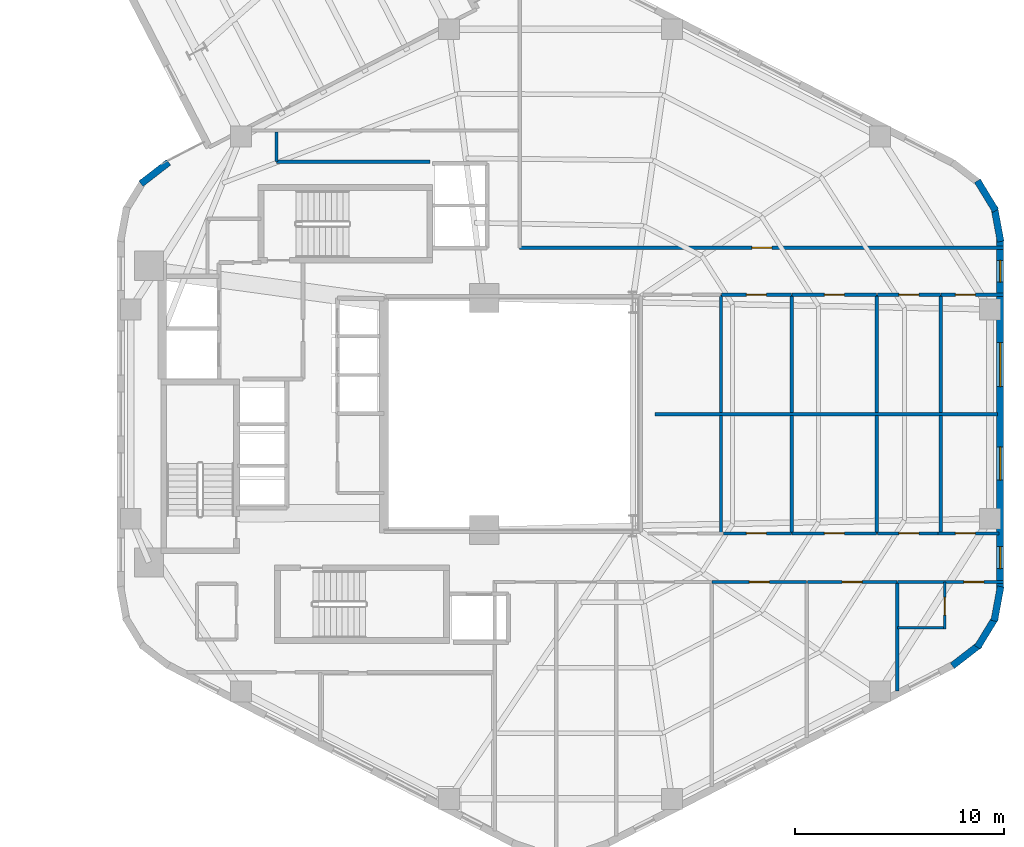
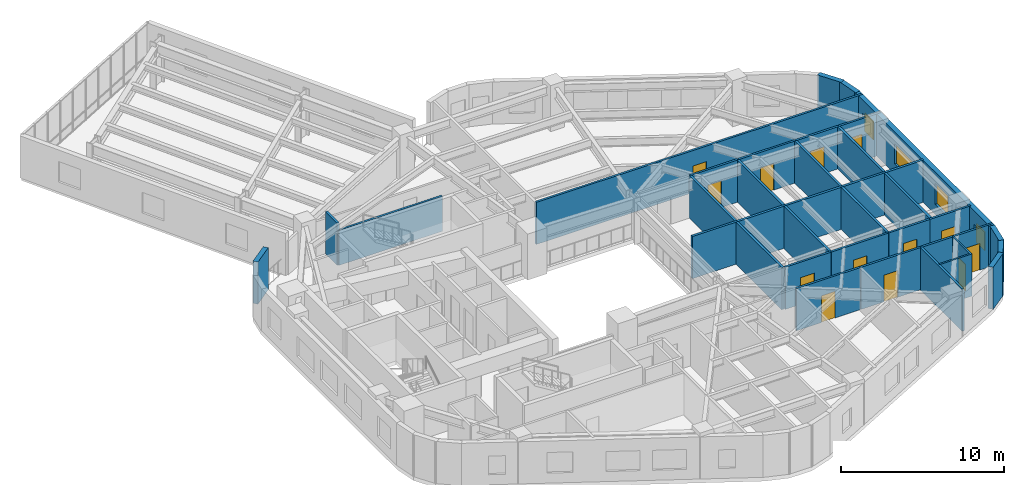
# One storey, part 8 of 10: 33 walls, 13 doors, 4 windows, 17 openings.
"""IFC4 building model written with IfcOpenShell, lengths in metres."""

from ifc_helpers import new_model, si_unit, direction, frame, frame_2d, origin, place, context, subcontext, project, spatial, rectangle, extrude, material, layer, layer_set, type_object, element, fill, save


model = new_model("IFC4")

# Units and contexts
model_context = context("Model", 3, precision=1e-05, world=origin(), true_north=direction((0.0, 1.0)))
body_context = subcontext(model_context, "Body", "Model", "MODEL_VIEW")
ifc_project = project(units=[si_unit("LENGTHUNIT", "METRE"), si_unit("AREAUNIT", "SQUARE_METRE"), si_unit("VOLUMEUNIT", "CUBIC_METRE"), si_unit("PLANEANGLEUNIT", "RADIAN"), si_unit("MASSUNIT", "GRAM", prefix="KILO"), si_unit("THERMODYNAMICTEMPERATUREUNIT", "KELVIN"), si_unit("POWERUNIT", "WATT")], contexts=[model_context])

# Site, building, storey
site_placement = place(None, origin())
site = spatial("IfcSite", under=ifc_project, at=site_placement, CompositionType="ELEMENT")
building_placement = place(site_placement, origin())
building = spatial("IfcBuilding", under=site, at=building_placement, Name="Skarre Station Tower", CompositionType="ELEMENT")
storey_placement = place(building_placement, frame((0.0, 0.0, 142.949951171875)))
storey = spatial("IfcBuildingStorey", under=building, at=storey_placement, Name="L38", CompositionType="ELEMENT", Elevation=142.949951171875)

# Wall, opening, door
ifc_material_1 = material(Name="Acoustic Steel-Stud Gypsum Partition", Category="steel")
ifc_layer_1 = layer(ifc_material_1, 0.14990234375, Name="Acoustic Steel-Stud Gypsum Partition")
ifc_layer_set_1 = layer_set([ifc_layer_1], Name="Acoustic Steel-Stud Gypsum Partition")
wall_type_1 = type_object("IfcWallType", Name="Fire-Rated Corridor Acoustic Partition 150", PredefinedType="PARTITIONING", material=ifc_layer_set_1)
wall_1_placement = place(storey_placement, frame((57.2080078125, 31.9599609375, 0.0), z_axis=(0.0, 0.0, 1.0), x_axis=(-1.0, 0.0, 0.0)))
wall_1 = element("IfcWall", 1, at=wall_1_placement, inside=storey, type_object=wall_type_1, Name="L38 Interior Partition WL-PT-L38-NW1-CW", PredefinedType="PARTITIONING", context=body_context, shape_type="SweptSolid", body=[
    extrude(rectangle(XDim=23.16796875, YDim=0.14990234375, at=frame_2d((11.583984375, 0.0))), origin(), (0.0, 0.0, 1.0), 3.16015625),
])
opening_1_placement = place(wall_1_placement, frame((11.090087890625, 0.0, 0.0)))
opening_1 = element("IfcOpeningElement", 2, at=opening_1_placement, cuts=wall_1, Name="Opening DR-FD60", PredefinedType="OPENING", context=body_context, shape_type="SweptSolid", body=[
    extrude(rectangle(XDim=0.9599609375, YDim=2.0, at=frame_2d((0.47998046875, 1.0))), frame((0.0, 0.0849609375, 0.0), z_axis=(0.0, -1.0, 0.0), x_axis=(1.0, 0.0, 0.0)), (0.0, 0.0, 1.0), 0.169921875),
])
ifc_material_2 = material(Name="Nordic White-Oak Veneer Solid-Core Fire Leaf", Category="wood")
door_type_1 = type_object("IfcDoorType", Name="Corridor Suite Entry Fire Door FD60 960x2150", OperationType="SINGLE_SWING_LEFT", PredefinedType="DOOR", material=ifc_material_2)
door_1_placement = place(opening_1_placement, origin())
door_1 = element("IfcDoor", 3, at=door_1_placement, inside=storey, type_object=door_type_1, Name="L38 NW1 Entry Door", OperationType="SINGLE_SWING_LEFT", OverallHeight=2.0, OverallWidth=0.9599609375, PredefinedType="DOOR", context=body_context, shape_type="SweptSolid", body=[
    extrude(rectangle(XDim=0.9599609375, YDim=2.0, at=frame_2d((0.47998046875, 1.0))), frame((0.0, 0.02490234375, 0.0), z_axis=(0.0, -1.0, 0.0), x_axis=(1.0, 0.0, 0.0)), (0.0, 0.0, 1.0), 0.050048828125),
])
fill(opening_1, door_1)

wall_2_placement = place(storey_placement, frame((43.697998046875, 29.7099609375, 0.0), z_axis=(0.0, 0.0, 1.0), x_axis=(1.0, 0.0, 0.0)))
wall_2 = element("IfcWall", 4, at=wall_2_placement, inside=storey, type_object=wall_type_1, Name="L38 Interior Partition WL-PT-L38-EWN2-CW", PredefinedType="PARTITIONING", context=body_context, shape_type="SweptSolid", body=[
    extrude(rectangle(XDim=3.364013671875, YDim=0.14990234375, at=frame_2d((1.68212890625, 0.0))), origin(), (0.0, 0.0, 1.0), 3.16015625),
])
opening_2_placement = place(wall_2_placement, frame((1.201904296875, 0.0, 0.0)))
opening_2 = element("IfcOpeningElement", 5, at=opening_2_placement, cuts=wall_2, Name="Opening DR-FD60", PredefinedType="OPENING", context=body_context, shape_type="SweptSolid", body=[
    extrude(rectangle(XDim=0.9599609375, YDim=2.0, at=frame_2d((0.47998046875, 1.0))), frame((0.0, 0.0849609375, 0.0), z_axis=(0.0, -1.0, 0.0), x_axis=(1.0, 0.0, 0.0)), (0.0, 0.0, 1.0), 0.169921875),
])
door_2_placement = place(opening_2_placement, origin())
door_2 = element("IfcDoor", 6, at=door_2_placement, inside=storey, type_object=door_type_1, Name="L38 EWN2 Entry Door", OperationType="SINGLE_SWING_LEFT", OverallHeight=2.0, OverallWidth=0.9599609375, PredefinedType="DOOR", context=body_context, shape_type="SweptSolid", body=[
    extrude(rectangle(XDim=0.9599609375, YDim=2.0, at=frame_2d((0.47998046875, 1.0))), frame((0.0, 0.02490234375, 0.0), z_axis=(0.0, -1.0, 0.0), x_axis=(1.0, 0.0, 0.0)), (0.0, 0.0, 1.0), 0.050048828125),
])
fill(opening_2, door_2)

wall_3_placement = place(storey_placement, frame((47.092041015625, 29.7099609375, 0.0), z_axis=(0.0, 0.0, 1.0), x_axis=(1.0, 0.0, 0.0)))
wall_3 = element("IfcWall", 7, at=wall_3_placement, inside=storey, type_object=wall_type_1, Name="L38 Interior Partition WL-PT-L38-EWN3-CW", PredefinedType="PARTITIONING", context=body_context, shape_type="SweptSolid", body=[
    extrude(rectangle(XDim=4.0419921875, YDim=0.14990234375, at=frame_2d((2.02099609375, 0.0))), origin(), (0.0, 0.0, 1.0), 3.16015625),
])
opening_3_placement = place(wall_3_placement, frame((1.541015625, 0.0, 0.0)))
opening_3 = element("IfcOpeningElement", 8, at=opening_3_placement, cuts=wall_3, Name="Opening DR-FD60", PredefinedType="OPENING", context=body_context, shape_type="SweptSolid", body=[
    extrude(rectangle(XDim=0.9599609375, YDim=2.0, at=frame_2d((0.47998046875, 1.0))), frame((0.0, 0.0849609375, 0.0), z_axis=(0.0, -1.0, 0.0), x_axis=(1.0, 0.0, 0.0)), (0.0, 0.0, 1.0), 0.169921875),
])
door_3_placement = place(opening_3_placement, origin())
door_3 = element("IfcDoor", 9, at=door_3_placement, inside=storey, type_object=door_type_1, Name="L38 EWN3 Entry Door", OperationType="SINGLE_SWING_LEFT", OverallHeight=2.0, OverallWidth=0.9599609375, PredefinedType="DOOR", context=body_context, shape_type="SweptSolid", body=[
    extrude(rectangle(XDim=0.9599609375, YDim=2.0, at=frame_2d((0.47998046875, 1.0))), frame((0.0, 0.02490234375, 0.0), z_axis=(0.0, -1.0, 0.0), x_axis=(1.0, 0.0, 0.0)), (0.0, 0.0, 1.0), 0.050048828125),
])
fill(opening_3, door_3)

wall_4_placement = place(storey_placement, frame((51.1640625, 29.7099609375, 0.0), z_axis=(0.0, 0.0, 1.0), x_axis=(1.0, 0.0, 0.0)))
wall_4 = element("IfcWall", 10, at=wall_4_placement, inside=storey, type_object=wall_type_1, Name="L38 Interior Partition WL-PT-L38-EWN4-CW", PredefinedType="PARTITIONING", context=body_context, shape_type="SweptSolid", body=[
    extrude(rectangle(XDim=3.02392578125, YDim=0.14990234375, at=frame_2d((1.511962890625, 0.0))), origin(), (0.0, 0.0, 1.0), 3.16015625),
])
opening_4_placement = place(wall_4_placement, frame((1.031982421875, 0.0, 0.0)))
opening_4 = element("IfcOpeningElement", 11, at=opening_4_placement, cuts=wall_4, Name="Opening DR-FD60", PredefinedType="OPENING", context=body_context, shape_type="SweptSolid", body=[
    extrude(rectangle(XDim=0.9599609375, YDim=2.0, at=frame_2d((0.47998046875, 1.0))), frame((0.0, 0.0849609375, 0.0), z_axis=(0.0, -1.0, 0.0), x_axis=(1.0, 0.0, 0.0)), (0.0, 0.0, 1.0), 0.169921875),
])
door_4_placement = place(opening_4_placement, origin())
door_4 = element("IfcDoor", 12, at=door_4_placement, inside=storey, type_object=door_type_1, Name="L38 EWN4 Entry Door", OperationType="SINGLE_SWING_LEFT", OverallHeight=2.0, OverallWidth=0.9599609375, PredefinedType="DOOR", context=body_context, shape_type="SweptSolid", body=[
    extrude(rectangle(XDim=0.9599609375, YDim=2.0, at=frame_2d((0.47998046875, 1.0))), frame((0.0, 0.02490234375, 0.0), z_axis=(0.0, -1.0, 0.0), x_axis=(1.0, 0.0, 0.0)), (0.0, 0.0, 1.0), 0.050048828125),
])
fill(opening_4, door_4)

wall_5_placement = place(storey_placement, frame((54.218017578125, 29.7099609375, 0.0), z_axis=(0.0, 0.0, 1.0), x_axis=(1.0, 0.0, 0.0)))
wall_5 = element("IfcWall", 13, at=wall_5_placement, inside=storey, type_object=wall_type_1, Name="L38 Interior Partition WL-PT-L38-EWN5-CW", PredefinedType="PARTITIONING", context=body_context, shape_type="SweptSolid", body=[
    extrude(rectangle(XDim=2.989990234375, YDim=0.14990234375, at=frame_2d((1.4951171875, 0.0))), origin(), (0.0, 0.0, 1.0), 3.16015625),
])
opening_5_placement = place(wall_5_placement, frame((0.679931640625, 0.0, 0.0)))
opening_5 = element("IfcOpeningElement", 14, at=opening_5_placement, cuts=wall_5, Name="Opening DR-FD60", PredefinedType="OPENING", context=body_context, shape_type="SweptSolid", body=[
    extrude(rectangle(XDim=0.9599609375, YDim=2.0, at=frame_2d((0.47998046875, 1.0))), frame((0.0, 0.0849609375, 0.0), z_axis=(0.0, -1.0, 0.0), x_axis=(1.0, 0.0, 0.0)), (0.0, 0.0, 1.0), 0.169921875),
])
door_5_placement = place(opening_5_placement, origin())
door_5 = element("IfcDoor", 15, at=door_5_placement, inside=storey, type_object=door_type_1, Name="L38 EWN5 Entry Door", OperationType="SINGLE_SWING_LEFT", OverallHeight=2.0, OverallWidth=0.9599609375, PredefinedType="DOOR", context=body_context, shape_type="SweptSolid", body=[
    extrude(rectangle(XDim=0.9599609375, YDim=2.0, at=frame_2d((0.47998046875, 1.0))), frame((0.0, 0.02490234375, 0.0), z_axis=(0.0, -1.0, 0.0), x_axis=(1.0, 0.0, 0.0)), (0.0, 0.0, 1.0), 0.050048828125),
])
fill(opening_5, door_5)

wall_6_placement = place(storey_placement, frame((47.06201171875, 18.2900390625, 0.0), z_axis=(0.0, 0.0, 1.0), x_axis=(-1.0, 0.0, 0.0)))
wall_6 = element("IfcWall", 16, at=wall_6_placement, inside=storey, type_object=wall_type_1, Name="L38 Interior Partition WL-PT-L38-EWS2-CW", PredefinedType="PARTITIONING", context=body_context, shape_type="SweptSolid", body=[
    extrude(rectangle(XDim=3.2490234375, YDim=0.14990234375, at=frame_2d((1.62451171875, 0.0))), origin(), (0.0, 0.0, 1.0), 3.16015625),
])
opening_6_placement = place(wall_6_placement, frame((1.201904296875, 0.0, 0.0)))
opening_6 = element("IfcOpeningElement", 17, at=opening_6_placement, cuts=wall_6, Name="Opening DR-FD60", PredefinedType="OPENING", context=body_context, shape_type="SweptSolid", body=[
    extrude(rectangle(XDim=0.9599609375, YDim=2.0, at=frame_2d((0.47998046875, 1.0))), frame((0.0, 0.0849609375, 0.0), z_axis=(0.0, -1.0, 0.0), x_axis=(1.0, 0.0, 0.0)), (0.0, 0.0, 1.0), 0.169921875),
])
door_6_placement = place(opening_6_placement, origin())
door_6 = element("IfcDoor", 18, at=door_6_placement, inside=storey, type_object=door_type_1, Name="L38 EWS2 Entry Door", OperationType="SINGLE_SWING_LEFT", OverallHeight=2.0, OverallWidth=0.9599609375, PredefinedType="DOOR", context=body_context, shape_type="SweptSolid", body=[
    extrude(rectangle(XDim=0.9599609375, YDim=2.0, at=frame_2d((0.47998046875, 1.0))), frame((0.0, 0.02490234375, 0.0), z_axis=(0.0, -1.0, 0.0), x_axis=(1.0, 0.0, 0.0)), (0.0, 0.0, 1.0), 0.050048828125),
])
fill(opening_6, door_6)

wall_7_placement = place(storey_placement, frame((51.134033203125, 18.2900390625, 0.0), z_axis=(0.0, 0.0, 1.0), x_axis=(-1.0, 0.0, 0.0)))
wall_7 = element("IfcWall", 19, at=wall_7_placement, inside=storey, type_object=wall_type_1, Name="L38 Interior Partition WL-PT-L38-EWS3-CW", PredefinedType="PARTITIONING", context=body_context, shape_type="SweptSolid", body=[
    extrude(rectangle(XDim=4.0419921875, YDim=0.14990234375, at=frame_2d((2.02099609375, 0.0))), origin(), (0.0, 0.0, 1.0), 3.16015625),
])
opening_7_placement = place(wall_7_placement, frame((1.541015625, 0.0, 0.0)))
opening_7 = element("IfcOpeningElement", 20, at=opening_7_placement, cuts=wall_7, Name="Opening DR-FD60", PredefinedType="OPENING", context=body_context, shape_type="SweptSolid", body=[
    extrude(rectangle(XDim=0.9599609375, YDim=2.0, at=frame_2d((0.47998046875, 1.0))), frame((0.0, 0.0849609375, 0.0), z_axis=(0.0, -1.0, 0.0), x_axis=(1.0, 0.0, 0.0)), (0.0, 0.0, 1.0), 0.169921875),
])
door_7_placement = place(opening_7_placement, origin())
door_7 = element("IfcDoor", 21, at=door_7_placement, inside=storey, type_object=door_type_1, Name="L38 EWS3 Entry Door", OperationType="SINGLE_SWING_LEFT", OverallHeight=2.0, OverallWidth=0.9599609375, PredefinedType="DOOR", context=body_context, shape_type="SweptSolid", body=[
    extrude(rectangle(XDim=0.9599609375, YDim=2.0, at=frame_2d((0.47998046875, 1.0))), frame((0.0, 0.02490234375, 0.0), z_axis=(0.0, -1.0, 0.0), x_axis=(1.0, 0.0, 0.0)), (0.0, 0.0, 1.0), 0.050048828125),
])
fill(opening_7, door_7)

wall_8_placement = place(storey_placement, frame((54.072998046875, 18.2900390625, 0.0), z_axis=(0.0, 0.0, 1.0), x_axis=(-1.0, 0.0, 0.0)))
wall_8 = element("IfcWall", 22, at=wall_8_placement, inside=storey, type_object=wall_type_1, Name="L38 Interior Partition WL-PT-L38-EWS4-CW", PredefinedType="PARTITIONING", context=body_context, shape_type="SweptSolid", body=[
    extrude(rectangle(XDim=2.908935546875, YDim=0.14990234375, at=frame_2d((1.45458984375, 0.0))), origin(), (0.0, 0.0, 1.0), 3.16015625),
])
opening_8_placement = place(wall_8_placement, frame((0.9169921875, 0.0, 0.0)))
opening_8 = element("IfcOpeningElement", 23, at=opening_8_placement, cuts=wall_8, Name="Opening DR-FD60", PredefinedType="OPENING", context=body_context, shape_type="SweptSolid", body=[
    extrude(rectangle(XDim=0.9599609375, YDim=2.0, at=frame_2d((0.47998046875, 1.0))), frame((0.0, 0.0849609375, 0.0), z_axis=(0.0, -1.0, 0.0), x_axis=(1.0, 0.0, 0.0)), (0.0, 0.0, 1.0), 0.169921875),
])
door_8_placement = place(opening_8_placement, origin())
door_8 = element("IfcDoor", 24, at=door_8_placement, inside=storey, type_object=door_type_1, Name="L38 EWS4 Entry Door", OperationType="SINGLE_SWING_LEFT", OverallHeight=2.0, OverallWidth=0.9599609375, PredefinedType="DOOR", context=body_context, shape_type="SweptSolid", body=[
    extrude(rectangle(XDim=0.9599609375, YDim=2.0, at=frame_2d((0.47998046875, 1.0))), frame((0.0, 0.02490234375, 0.0), z_axis=(0.0, -1.0, 0.0), x_axis=(1.0, 0.0, 0.0)), (0.0, 0.0, 1.0), 0.050048828125),
])
fill(opening_8, door_8)

wall_9_placement = place(storey_placement, frame((56.988037109375, 18.2900390625, 0.0), z_axis=(0.0, 0.0, 1.0), x_axis=(-1.0, 0.0, 0.0)))
wall_9 = element("IfcWall", 25, at=wall_9_placement, inside=storey, type_object=wall_type_1, Name="L38 Interior Partition WL-PT-L38-EWS5-CW", PredefinedType="PARTITIONING", context=body_context, shape_type="SweptSolid", body=[
    extrude(rectangle(XDim=2.905029296875, YDim=0.14990234375, at=frame_2d((1.45263671875, 0.0))), origin(), (0.0, 0.0, 1.0), 3.16015625),
])
opening_9_placement = place(wall_9_placement, frame((1.1298828125, 0.0, 0.0)))
opening_9 = element("IfcOpeningElement", 26, at=opening_9_placement, cuts=wall_9, Name="Opening DR-FD60", PredefinedType="OPENING", context=body_context, shape_type="SweptSolid", body=[
    extrude(rectangle(XDim=0.9599609375, YDim=2.0, at=frame_2d((0.47998046875, 1.0))), frame((0.0, 0.0849609375, 0.0), z_axis=(0.0, -1.0, 0.0), x_axis=(1.0, 0.0, 0.0)), (0.0, 0.0, 1.0), 0.169921875),
])
door_9_placement = place(opening_9_placement, origin())
door_9 = element("IfcDoor", 27, at=door_9_placement, inside=storey, type_object=door_type_1, Name="L38 EWS5 Entry Door", OperationType="SINGLE_SWING_LEFT", OverallHeight=2.0, OverallWidth=0.9599609375, PredefinedType="DOOR", context=body_context, shape_type="SweptSolid", body=[
    extrude(rectangle(XDim=0.9599609375, YDim=2.0, at=frame_2d((0.47998046875, 1.0))), frame((0.0, 0.02490234375, 0.0), z_axis=(0.0, -1.0, 0.0), x_axis=(1.0, 0.0, 0.0)), (0.0, 0.0, 1.0), 0.050048828125),
])
fill(opening_9, door_9)

wall_10_placement = place(storey_placement, frame((43.257080078125, 15.9599609375, 0.0), z_axis=(0.0, 0.0, 1.0), x_axis=(1.0, 0.0, 0.0)))
wall_10 = element("IfcWall", 28, at=wall_10_placement, inside=storey, type_object=wall_type_1, Name="L38 Interior Partition WL-PT-L38-SW4-CW", PredefinedType="PARTITIONING", context=body_context, shape_type="SweptSolid", body=[
    extrude(rectangle(XDim=4.52392578125, YDim=0.14990234375, at=frame_2d((2.261962890625, 0.0))), origin(), (0.0, 0.0, 1.0), 3.16015625),
])
opening_10_placement = place(wall_10_placement, frame((1.781982421875, 0.0, 0.0)))
opening_10 = element("IfcOpeningElement", 29, at=opening_10_placement, cuts=wall_10, Name="Opening DR-FD60", PredefinedType="OPENING", context=body_context, shape_type="SweptSolid", body=[
    extrude(rectangle(XDim=0.9599609375, YDim=2.0, at=frame_2d((0.47998046875, 1.0))), frame((0.0, 0.0849609375, 0.0), z_axis=(0.0, -1.0, 0.0), x_axis=(1.0, 0.0, 0.0)), (0.0, 0.0, 1.0), 0.169921875),
])
door_10_placement = place(opening_10_placement, origin())
door_10 = element("IfcDoor", 30, at=door_10_placement, inside=storey, type_object=door_type_1, Name="L38 SW4 Entry Door", OperationType="SINGLE_SWING_LEFT", OverallHeight=2.0, OverallWidth=0.9599609375, PredefinedType="DOOR", context=body_context, shape_type="SweptSolid", body=[
    extrude(rectangle(XDim=0.9599609375, YDim=2.0, at=frame_2d((0.47998046875, 1.0))), frame((0.0, 0.02490234375, 0.0), z_axis=(0.0, -1.0, 0.0), x_axis=(1.0, 0.0, 0.0)), (0.0, 0.0, 1.0), 0.050048828125),
])
fill(opening_10, door_10)

wall_11_placement = place(storey_placement, frame((47.81689453125, 15.9599609375, 0.0), z_axis=(0.0, 0.0, 1.0), x_axis=(1.0, 0.0, 0.0)))
wall_11 = element("IfcWall", 31, at=wall_11_placement, inside=storey, type_object=wall_type_1, Name="L38 Interior Partition WL-PT-L38-SW5-CW", PredefinedType="PARTITIONING", context=body_context, shape_type="SweptSolid", body=[
    extrude(rectangle(XDim=4.283203125, YDim=0.14990234375, at=frame_2d((2.1416015625, 0.0))), origin(), (0.0, 0.0, 1.0), 3.16015625),
])
opening_11_placement = place(wall_11_placement, frame((1.662109375, 0.0, 0.0)))
opening_11 = element("IfcOpeningElement", 32, at=opening_11_placement, cuts=wall_11, Name="Opening DR-FD60", PredefinedType="OPENING", context=body_context, shape_type="SweptSolid", body=[
    extrude(rectangle(XDim=0.9599609375, YDim=2.0, at=frame_2d((0.47998046875, 1.0))), frame((0.0, 0.0849609375, 0.0), z_axis=(0.0, -1.0, 0.0), x_axis=(1.0, 0.0, 0.0)), (0.0, 0.0, 1.0), 0.169921875),
])
door_11_placement = place(opening_11_placement, origin())
door_11 = element("IfcDoor", 33, at=door_11_placement, inside=storey, type_object=door_type_1, Name="L38 SW5 Entry Door", OperationType="SINGLE_SWING_LEFT", OverallHeight=2.0, OverallWidth=0.9599609375, PredefinedType="DOOR", context=body_context, shape_type="SweptSolid", body=[
    extrude(rectangle(XDim=0.9599609375, YDim=2.0, at=frame_2d((0.47998046875, 1.0))), frame((0.0, 0.02490234375, 0.0), z_axis=(0.0, -1.0, 0.0), x_axis=(1.0, 0.0, 0.0)), (0.0, 0.0, 1.0), 0.050048828125),
])
fill(opening_11, door_11)

wall_12_placement = place(storey_placement, frame((52.135986328125, 15.9599609375, 0.0), z_axis=(0.0, 0.0, 1.0), x_axis=(1.0, 0.0, 0.0)))
wall_12 = element("IfcWall", 34, at=wall_12_placement, inside=storey, type_object=wall_type_1, Name="L38 Interior Partition WL-PT-L38-SW6-CW", PredefinedType="PARTITIONING", context=body_context, shape_type="SweptSolid", body=[
    extrude(rectangle(XDim=5.072021484375, YDim=0.14990234375, at=frame_2d((2.5361328125, 0.0))), origin(), (0.0, 0.0, 1.0), 3.16015625),
])
opening_12_placement = place(wall_12_placement, frame((3.169921875, 0.0, 0.0)))
opening_12 = element("IfcOpeningElement", 35, at=opening_12_placement, cuts=wall_12, Name="Opening DR-FD60", PredefinedType="OPENING", context=body_context, shape_type="SweptSolid", body=[
    extrude(rectangle(XDim=0.9599609375, YDim=2.0, at=frame_2d((0.47998046875, 1.0))), frame((0.0, 0.0849609375, 0.0), z_axis=(0.0, -1.0, 0.0), x_axis=(1.0, 0.0, 0.0)), (0.0, 0.0, 1.0), 0.169921875),
])
door_12_placement = place(opening_12_placement, origin())
door_12 = element("IfcDoor", 36, at=door_12_placement, inside=storey, type_object=door_type_1, Name="L38 SW6 Entry Door", OperationType="SINGLE_SWING_LEFT", OverallHeight=2.0, OverallWidth=0.9599609375, PredefinedType="DOOR", context=body_context, shape_type="SweptSolid", body=[
    extrude(rectangle(XDim=0.9599609375, YDim=2.0, at=frame_2d((0.47998046875, 1.0))), frame((0.0, 0.02490234375, 0.0), z_axis=(0.0, -1.0, 0.0), x_axis=(1.0, 0.0, 0.0)), (0.0, 0.0, 1.0), 0.050048828125),
])
fill(opening_12, door_12)

# Walls
wall_13_placement = place(storey_placement, frame((29.7529296875, 36.080078125, 0.0), z_axis=(0.0, 0.0, 1.0), x_axis=(-1.0, 0.0, 0.0)))
element("IfcWall", 37, at=wall_13_placement, inside=storey, type_object=wall_type_1, Name="L38 Interior Partition WL-PT-L38-CSEAL-1", PredefinedType="PARTITIONING", context=body_context, shape_type="SweptSolid", body=[
    extrude(rectangle(XDim=7.35302734375, YDim=0.14990234375, at=frame_2d((3.676513671875, 0.0))), origin(), (0.0, 0.0, 1.0), 2.626953125),
])
wall_14_placement = place(storey_placement, frame((22.39990234375, 36.080078125, 0.0), z_axis=(0.0, 0.0, 1.0), x_axis=(0.0, 1.0, 0.0)))
element("IfcWall", 38, at=wall_14_placement, inside=storey, type_object=wall_type_1, Name="L38 Interior Partition WL-PT-L38-CSEAL-2", PredefinedType="PARTITIONING", context=body_context, shape_type="SweptSolid", body=[
    extrude(rectangle(XDim=1.429931640625, YDim=0.14990234375, at=frame_2d((0.71484375, 0.0))), origin(), (0.0, 0.0, 1.0), 3.16015625),
])

# Wall, opening, door
ifc_material_3 = material(Name="Insulated Timber-Stud Gypsum Partition", Category="wood")
ifc_layer_2 = layer(ifc_material_3, 0.1201171875, Name="Insulated Timber-Stud Gypsum Partition")
ifc_layer_set_2 = layer_set([ifc_layer_2], Name="Insulated Timber-Stud Gypsum Partition")
wall_type_2 = type_object("IfcWallType", Name="Internal Suite Acoustic Partition 120", PredefinedType="PARTITIONING", material=ifc_layer_set_2)
wall_15_placement = place(storey_placement, frame((54.39599609375, 13.719970703125, 0.0), z_axis=(0.0, 0.0, 1.0), x_axis=(0.0, 1.0, 0.0)))
wall_15 = element("IfcWall", 39, at=wall_15_placement, inside=storey, type_object=wall_type_2, Name="L38 Interior Partition WL-PT-L38-SW6-EW2", PredefinedType="PARTITIONING", context=body_context, shape_type="SweptSolid", body=[
    extrude(rectangle(XDim=2.239990234375, YDim=0.1201171875, at=frame_2d((1.1201171875, 0.0))), origin(), (0.0, 0.0, 1.0), 3.16015625),
])
opening_13_placement = place(wall_15_placement, frame((0.64990234375, 0.0, 0.0)))
opening_13 = element("IfcOpeningElement", 40, at=opening_13_placement, cuts=wall_15, Name="Opening DR-INT86", PredefinedType="OPENING", context=body_context, shape_type="SweptSolid", body=[
    extrude(rectangle(XDim=0.860107421875, YDim=2.0, at=frame_2d((0.43017578125, 1.0))), frame((0.0, 0.070068359375, 0.0), z_axis=(0.0, -1.0, 0.0), x_axis=(1.0, 0.0, 0.0)), (0.0, 0.0, 1.0), 0.14013671875),
])
ifc_material_4 = material(Name="Nordic Birch Acoustic Solid-Core Timber Leaf", Category="wood")
door_type_2 = type_object("IfcDoorType", Name="Internal En-Suite & Bedroom Door 860x2100", OperationType="SINGLE_SWING_LEFT", PredefinedType="DOOR", material=ifc_material_4)
door_13_placement = place(opening_13_placement, origin())
door_13 = element("IfcDoor", 41, at=door_13_placement, inside=storey, type_object=door_type_2, Name="L38 SW6 En-suite Door", OperationType="SINGLE_SWING_RIGHT", OverallHeight=2.0, OverallWidth=0.860107421875, PredefinedType="DOOR", context=body_context, shape_type="SweptSolid", body=[
    extrude(rectangle(XDim=0.860107421875, YDim=2.0, at=frame_2d((0.43017578125, 1.0))), frame((0.0, 0.02490234375, 0.0), z_axis=(0.0, -1.0, 0.0), x_axis=(1.0, 0.0, 0.0)), (0.0, 0.0, 1.0), 0.050048828125),
])
fill(opening_13, door_13)

# Wall
wall_16_placement = place(storey_placement, frame((52.135986328125, 13.780029296875, 0.0), z_axis=(0.0, 0.0, 1.0), x_axis=(1.0, 0.0, 0.0)))
element("IfcWall", 42, at=wall_16_placement, inside=storey, type_object=wall_type_2, Name="L38 Interior Partition WL-PT-L38-SW6-EW1", PredefinedType="PARTITIONING", context=body_context, shape_type="SweptSolid", body=[
    extrude(rectangle(XDim=2.320068359375, YDim=0.1201171875, at=frame_2d((1.16015625, 0.0))), origin(), (0.0, 0.0, 1.0), 3.16015625),
])

# Wall, openings, windows
ifc_material_5 = material(Name="Precast concrete C45/55", Category="concrete")
ifc_layer_3 = layer(ifc_material_5, 0.340087890625, Name="Precast concrete C45/55")
ifc_layer_set_3 = layer_set([ifc_layer_3], Name="Precast concrete C45/55")
wall_type_3 = type_object("IfcWallType", Name="Nordic Honed Precast Facet Wall 340", PredefinedType="STANDARD", material=ifc_layer_set_3)
wall_17_placement = place(storey_placement, frame((57.048095703125, 32.35205078125, 0.0), z_axis=(0.0, 0.0, 1.0), x_axis=(0.0, -1.0, 0.0)))
wall_17 = element("IfcWall", 43, at=wall_17_placement, inside=storey, type_object=wall_type_3, Name="L38 Facet 5 Nordic Precast Masonry Wall", PredefinedType="STANDARD", context=body_context, shape_type="SweptSolid", body=[
    extrude(rectangle(XDim=16.7041015625, YDim=0.340087890625, at=frame_2d((8.35205078125, 0.0))), origin(), (0.0, 0.0, 1.0), 3.16015625),
])
opening_14_placement = place(wall_17_placement, frame((0.991943359375, 0.0, 0.75)))
opening_14 = element("IfcOpeningElement", 44, at=opening_14_placement, cuts=wall_17, Name="Opening WN-SLT", PredefinedType="OPENING", context=body_context, shape_type="SweptSolid", body=[
    extrude(rectangle(XDim=1.050048828125, YDim=1.39990234375, at=frame_2d((0.52490234375, 0.699951171875))), frame((0.0, 0.179931640625, 0.0), z_axis=(0.0, -1.0, 0.0), x_axis=(1.0, 0.0, 0.0)), (0.0, 0.0, 1.0), 0.360107421875),
])
opening_15_placement = place(wall_17_placement, frame((4.93505859375, 0.0, 0.75)))
opening_15 = element("IfcOpeningElement", 45, at=opening_15_placement, cuts=wall_17, Name="Opening WN-Z2B", PredefinedType="OPENING", context=body_context, shape_type="SweptSolid", body=[
    extrude(rectangle(XDim=2.10009765625, YDim=1.5, at=frame_2d((1.050048828125, 0.75))), frame((0.0, 0.179931640625, 0.0), z_axis=(0.0, -1.0, 0.0), x_axis=(1.0, 0.0, 0.0)), (0.0, 0.0, 1.0), 0.360107421875),
])
opening_16_placement = place(wall_17_placement, frame((9.9189453125, 0.0, 0.75)))
opening_16 = element("IfcOpeningElement", 46, at=opening_16_placement, cuts=wall_17, Name="Opening WN-Z2A", PredefinedType="OPENING", context=body_context, shape_type="SweptSolid", body=[
    extrude(rectangle(XDim=1.60009765625, YDim=1.550048828125, at=frame_2d((0.800048828125, 0.77490234375))), frame((0.0, 0.179931640625, 0.0), z_axis=(0.0, -1.0, 0.0), x_axis=(1.0, 0.0, 0.0)), (0.0, 0.0, 1.0), 0.360107421875),
])
opening_17_placement = place(wall_17_placement, frame((14.701904296875, 0.0, 0.75)))
opening_17 = element("IfcOpeningElement", 47, at=opening_17_placement, cuts=wall_17, Name="Opening WN-SLT", PredefinedType="OPENING", context=body_context, shape_type="SweptSolid", body=[
    extrude(rectangle(XDim=1.050048828125, YDim=1.39990234375, at=frame_2d((0.52490234375, 0.699951171875))), frame((0.0, 0.179931640625, 0.0), z_axis=(0.0, -1.0, 0.0), x_axis=(1.0, 0.0, 0.0)), (0.0, 0.0, 1.0), 0.360107421875),
])
ifc_material_6 = material(Name="Low-Iron Triple Glazing with Bronze Anodized Frame", Category="glass")
window_type_1 = type_object("IfcWindowType", Name="Nordic Corner Slot Window 1050x1400", PartitioningType="SINGLE_PANEL", PredefinedType="WINDOW", material=ifc_material_6)
window_1_placement = place(opening_14_placement, origin())
window_1 = element("IfcWindow", 48, at=window_1_placement, inside=storey, type_object=window_type_1, Name="L38 Facade Window WL-FAC-L38-F5-1", OverallHeight=1.39990234375, OverallWidth=1.050048828125, PartitioningType="SINGLE_PANEL", PredefinedType="WINDOW", context=body_context, shape_type="SweptSolid", body=[
    extrude(rectangle(XDim=1.050048828125, YDim=1.39990234375, at=frame_2d((0.52490234375, 0.699951171875))), frame((0.0, 0.030029296875, 0.0), z_axis=(0.0, -1.0, 0.0), x_axis=(1.0, 0.0, 0.0)), (0.0, 0.0, 1.0), 0.06005859375),
])
fill(opening_14, window_1)
window_2_placement = place(opening_17_placement, origin())
window_2 = element("IfcWindow", 49, at=window_2_placement, inside=storey, type_object=window_type_1, Name="L38 Facade Window WL-FAC-L38-F5-4", OverallHeight=1.39990234375, OverallWidth=1.050048828125, PartitioningType="SINGLE_PANEL", PredefinedType="WINDOW", context=body_context, shape_type="SweptSolid", body=[
    extrude(rectangle(XDim=1.050048828125, YDim=1.39990234375, at=frame_2d((0.52490234375, 0.699951171875))), frame((0.0, 0.030029296875, 0.0), z_axis=(0.0, -1.0, 0.0), x_axis=(1.0, 0.0, 0.0)), (0.0, 0.0, 1.0), 0.06005859375),
])
fill(opening_17, window_2)
window_type_2 = type_object("IfcWindowType", Name="Nordic Residential Tall Window 1600x1550", PartitioningType="SINGLE_PANEL", PredefinedType="WINDOW", material=ifc_material_6)
window_3_placement = place(opening_16_placement, origin())
window_3 = element("IfcWindow", 50, at=window_3_placement, inside=storey, type_object=window_type_2, Name="L38 Facade Window WL-FAC-L38-F5-3", OverallHeight=1.550048828125, OverallWidth=1.60009765625, PartitioningType="SINGLE_PANEL", PredefinedType="WINDOW", context=body_context, shape_type="SweptSolid", body=[
    extrude(rectangle(XDim=1.60009765625, YDim=1.550048828125, at=frame_2d((0.800048828125, 0.77490234375))), frame((0.0, 0.030029296875, 0.0), z_axis=(0.0, -1.0, 0.0), x_axis=(1.0, 0.0, 0.0)), (0.0, 0.0, 1.0), 0.06005859375),
])
fill(opening_16, window_3)
window_type_3 = type_object("IfcWindowType", Name="Nordic Residential Twin Window 2100x1500", PartitioningType="SINGLE_PANEL", PredefinedType="WINDOW", material=ifc_material_6)
window_4_placement = place(opening_15_placement, origin())
window_4 = element("IfcWindow", 51, at=window_4_placement, inside=storey, type_object=window_type_3, Name="L38 Facade Window WL-FAC-L38-F5-2", OverallHeight=1.5, OverallWidth=2.10009765625, PartitioningType="SINGLE_PANEL", PredefinedType="WINDOW", context=body_context, shape_type="SweptSolid", body=[
    extrude(rectangle(XDim=2.10009765625, YDim=1.5, at=frame_2d((1.050048828125, 0.75))), frame((0.0, 0.030029296875, 0.0), z_axis=(0.0, -1.0, 0.0), x_axis=(1.0, 0.0, 0.0)), (0.0, 0.0, 1.0), 0.06005859375),
])
fill(opening_15, window_4)

# Walls
ifc_layer_4 = layer(ifc_material_5, 0.330078125, Name="Precast concrete C45/55")
ifc_layer_set_4 = layer_set([ifc_layer_4], Name="Precast concrete C45/55")
wall_type_4 = type_object("IfcWallType", Name="Nordic Rounded Corner Precast Wall 330", PredefinedType="STANDARD", material=ifc_layer_set_4)
wall_18_placement = place(storey_placement, frame((55.95703125, 35.1640625, 0.0), z_axis=(0.0, 0.0, 1.0), x_axis=(0.520519429557, -0.853849824883, 0.0)))
element("IfcWall", 52, at=wall_18_placement, inside=storey, type_object=wall_type_4, Name="L38 Rounded Corner Precast Wall F0-2", PredefinedType="STANDARD", context=body_context, shape_type="SweptSolid", body=[
    extrude(rectangle(XDim=1.67724609375, YDim=0.330078125, at=frame_2d((0.838623046875, 0.0))), origin(), (0.0, 0.0, 1.0), 3.16015625),
])
wall_19_placement = place(storey_placement, frame((56.762939453125, 33.906982421875, 0.0), z_axis=(0.0, 0.0, 1.0), x_axis=(0.181984991895, -0.983301308209, 0.0)))
element("IfcWall", 53, at=wall_19_placement, inside=storey, type_object=wall_type_4, Name="L38 Rounded Corner Precast Wall F0-3", PredefinedType="STANDARD", context=body_context, shape_type="SweptSolid", body=[
    extrude(rectangle(XDim=1.677001953125, YDim=0.330078125, at=frame_2d((0.83837890625, 0.0))), origin(), (0.0, 0.0, 1.0), 3.16015625),
])
wall_20_placement = place(storey_placement, frame((15.91796875, 35.02392578125, 0.0), z_axis=(0.0, 0.0, 1.0), x_axis=(0.790621329885, 0.612305408053, 0.0)))
element("IfcWall", 54, at=wall_20_placement, inside=storey, type_object=wall_type_4, Name="L38 Rounded Corner Precast Wall F2-3", PredefinedType="STANDARD", context=body_context, shape_type="SweptSolid", body=[
    extrude(rectangle(XDim=1.67578125, YDim=0.330078125, at=frame_2d((0.837890625, 0.0))), origin(), (0.0, 0.0, 1.0), 3.16015625),
])
wall_21_placement = place(storey_placement, frame((57.068115234375, 15.741943359375, 0.0), z_axis=(0.0, 0.0, 1.0), x_axis=(-0.181984991895, -0.983301308209, 0.0)))
element("IfcWall", 55, at=wall_21_placement, inside=storey, type_object=wall_type_4, Name="L38 Rounded Corner Precast Wall F5-1", PredefinedType="STANDARD", context=body_context, shape_type="SweptSolid", body=[
    extrude(rectangle(XDim=1.677001953125, YDim=0.330078125, at=frame_2d((0.83837890625, 0.0))), origin(), (0.0, 0.0, 1.0), 3.16015625),
])
wall_22_placement = place(storey_placement, frame((56.830078125, 14.26806640625, 0.0), z_axis=(0.0, 0.0, 1.0), x_axis=(-0.520519429557, -0.853849824883, 0.0)))
element("IfcWall", 56, at=wall_22_placement, inside=storey, type_object=wall_type_4, Name="L38 Rounded Corner Precast Wall F5-2", PredefinedType="STANDARD", context=body_context, shape_type="SweptSolid", body=[
    extrude(rectangle(XDim=1.67724609375, YDim=0.330078125, at=frame_2d((0.838623046875, 0.0))), origin(), (0.0, 0.0, 1.0), 3.16015625),
])
wall_23_placement = place(storey_placement, frame((56.08203125, 12.97607421875, 0.0), z_axis=(0.0, 0.0, 1.0), x_axis=(-0.790621329885, -0.612305408053, 0.0)))
element("IfcWall", 57, at=wall_23_placement, inside=storey, type_object=wall_type_4, Name="L38 Rounded Corner Precast Wall F5-3", PredefinedType="STANDARD", context=body_context, shape_type="SweptSolid", body=[
    extrude(rectangle(XDim=1.67578125, YDim=0.330078125, at=frame_2d((0.837890625, 0.0))), origin(), (0.0, 0.0, 1.0), 3.16015625),
])
ifc_layer_5 = layer(ifc_material_1, 0.1650390625, Name="Acoustic Steel-Stud Gypsum Partition")
ifc_layer_set_5 = layer_set([ifc_layer_5], Name="Acoustic Steel-Stud Gypsum Partition")
wall_type_5 = type_object("IfcWallType", Name="Suite Demising Acoustic Partition 165", PredefinedType="PARTITIONING", material=ifc_layer_set_5)
wall_24_placement = place(storey_placement, frame((40.52001953125, 24.0, 0.0), z_axis=(0.0, 0.0, 1.0), x_axis=(1.0, 0.0, 0.0)))
element("IfcWall", 58, at=wall_24_placement, inside=storey, type_object=wall_type_5, Name="L38 Interior Partition WL-PT-L38-EW-Z2MID", PredefinedType="PARTITIONING", context=body_context, shape_type="SweptSolid", body=[
    extrude(rectangle(XDim=16.407958984375, YDim=0.1650390625, at=frame_2d((8.2041015625, 0.0))), origin(), (0.0, 0.0, 1.0), 3.16015625),
])
for number, where, z_axis, x_axis, name in (
    (59, (43.68310546875, 24.070068359375, 0.0), (0.0, 0.0, 1.0), (0.0, 1.0, 0.0), "L38 Interior Partition WL-PT-L38-EWN-P1"),
    (60, (47.076904296875, 24.070068359375, 0.0), (0.0, 0.0, 1.0), (0.0, 1.0, 0.0), "L38 Interior Partition WL-PT-L38-EWN-P2"),
    (61, (51.14892578125, 24.070068359375, 0.0), (0.0, 0.0, 1.0), (0.0, 1.0, 0.0), "L38 Interior Partition WL-PT-L38-EWN-P3"),
    (62, (54.202880859375, 24.070068359375, 0.0), (0.0, 0.0, 1.0), (0.0, 1.0, 0.0), "L38 Interior Partition WL-PT-L38-EWN-P4"),
    (63, (43.68310546875, 18.2900390625, 0.0), (0.0, 0.0, 1.0), (0.0, 1.0, 0.0), "L38 Interior Partition WL-PT-L38-EWS-P1"),
    (64, (47.076904296875, 18.2900390625, 0.0), (0.0, 0.0, 1.0), (0.0, 1.0, 0.0), "L38 Interior Partition WL-PT-L38-EWS-P2"),
    (65, (51.14892578125, 18.2900390625, 0.0), (0.0, 0.0, 1.0), (0.0, 1.0, 0.0), "L38 Interior Partition WL-PT-L38-EWS-P3"),
    (66, (54.202880859375, 18.2900390625, 0.0), (0.0, 0.0, 1.0), (0.0, 1.0, 0.0), "L38 Interior Partition WL-PT-L38-EWS-P4"),
):
    element("IfcWall", number, at=place(storey_placement, frame(where, z_axis=z_axis, x_axis=x_axis)), inside=storey, type_object=wall_type_5, Name=name, PredefinedType="PARTITIONING", context=body_context, shape_type="SweptSolid", body=[
        extrude(rectangle(XDim=5.639892578125, YDim=0.1650390625, at=frame_2d((2.81982421875, 0.0))), origin(), (0.0, 0.0, 1.0), 3.16015625),
    ])
wall_25_placement = place(storey_placement, frame((52.117919921875, 10.7451171875, 0.0), z_axis=(0.0, 0.0, 1.0), x_axis=(0.0, 1.0, 0.0)))
element("IfcWall", 67, at=wall_25_placement, inside=storey, type_object=wall_type_5, Name="L38 Interior Partition WL-PT-L38-SW-P5", PredefinedType="PARTITIONING", context=body_context, shape_type="SweptSolid", body=[
    extrude(rectangle(XDim=5.184814453125, YDim=0.1650390625, at=frame_2d((2.59228515625, 0.0))), origin(), (0.0, 0.0, 1.0), 3.16015625),
])

save(model, "model.ifc")
